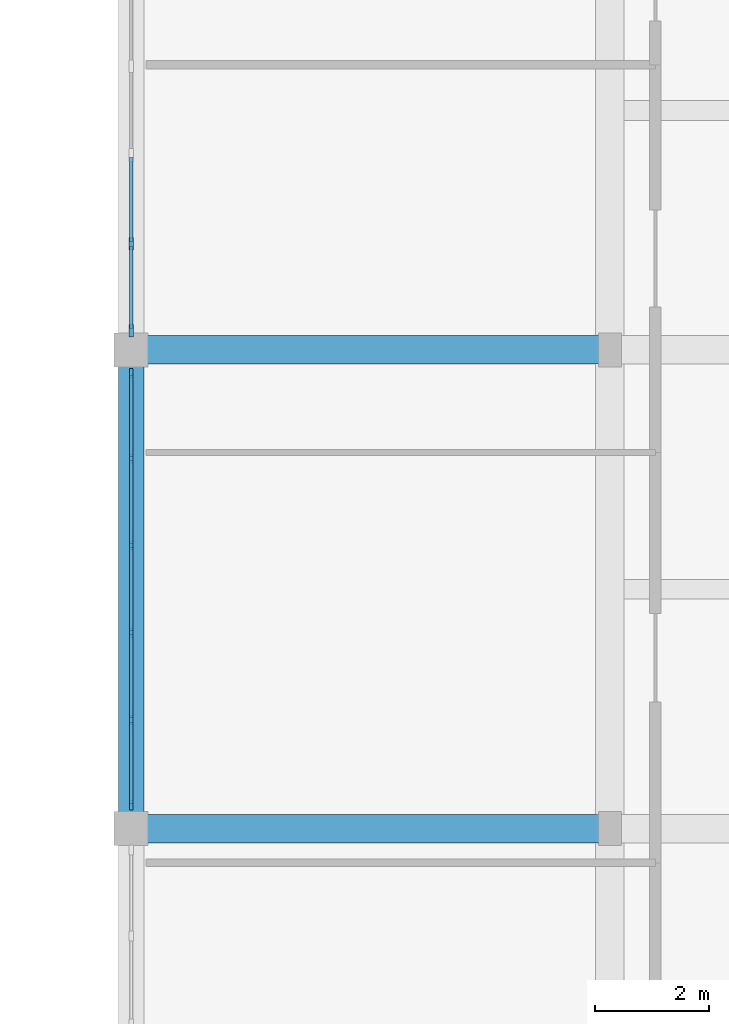
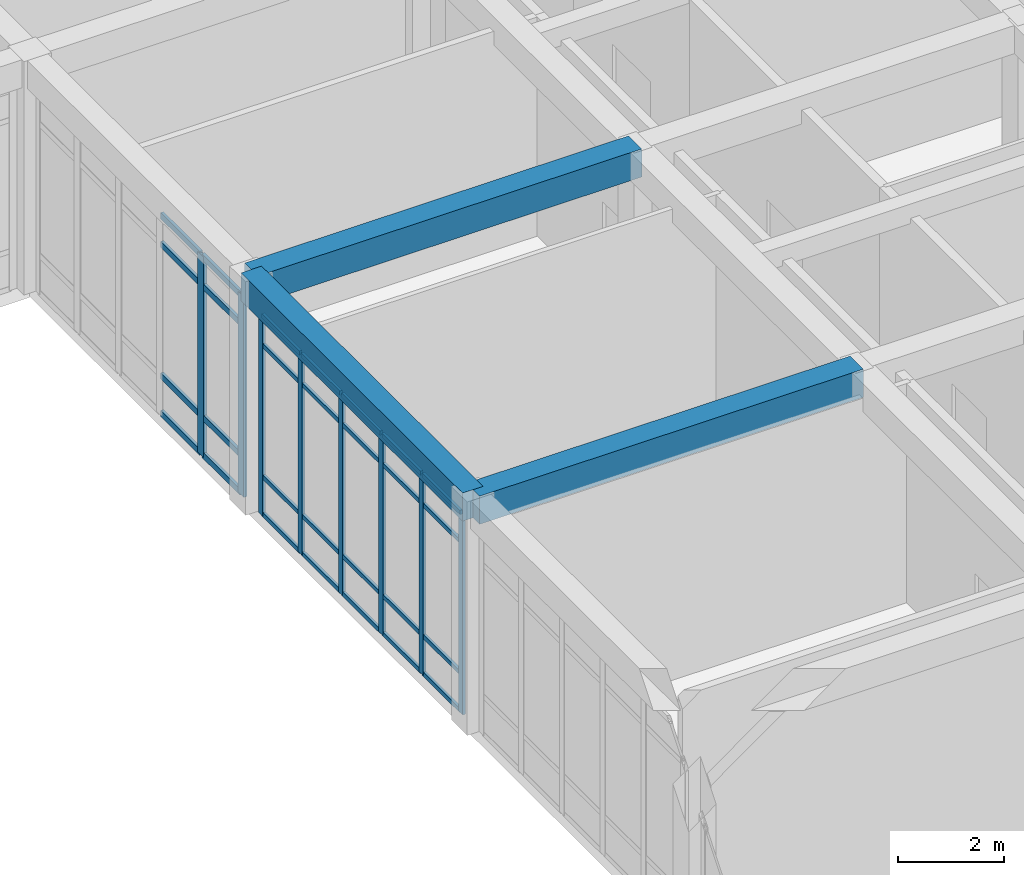
# One storey, part 35 of 89: 36 members, 3 beams, 2 elements without a shape of their own.
"""IFC4 building model written with IfcOpenShell, lengths in metres."""

from ifc_helpers import new_model, si_unit, direction, frame, origin, origin_2d, place, context, subcontext, project, spatial, rectangle, extrude, material, material_profile, profile_set, type_object, element, aggregate, save


model = new_model("IFC4")

# Units and contexts
model_context = context("Model", 3, precision=1e-05, world=origin(), true_north=direction((0.0, 1.0)))
body_context = subcontext(model_context, "Body", "Model", "MODEL_VIEW")
ifc_project = project(units=[si_unit("LENGTHUNIT", "METRE"), si_unit("AREAUNIT", "SQUARE_METRE"), si_unit("VOLUMEUNIT", "CUBIC_METRE"), si_unit("PLANEANGLEUNIT", "RADIAN"), si_unit("MASSUNIT", "GRAM", prefix="KILO")], contexts=[model_context])

# Site, building, storey
site_placement = place(None, origin())
site = spatial("IfcSite", under=ifc_project, at=site_placement, CompositionType="ELEMENT")
building_placement = place(site_placement, origin())
building = spatial("IfcBuilding", under=site, at=building_placement, Name="Varncliffe General Hospital", CompositionType="ELEMENT")
storey_placement = place(building_placement, frame((0.0, 0.0, 10.800048828125)))
storey = spatial("IfcBuildingStorey", under=building, at=storey_placement, Name="L02", CompositionType="ELEMENT", Elevation=10.800048828125)

# Beams
ifc_material_1 = material(Name="Concrete C35/45 (CSA A23.1 35 MPa)", Category="concrete")
ifc_material_profile_1 = material_profile(ifc_material_1, rectangle(XDim=0.5, YDim=0.64990234375, at=origin_2d()), Name="RC 500x650")
ifc_profile_set_1 = profile_set([ifc_material_profile_1], Name="Concrete C35/45 (CSA A23.1 35 MPa)")
beam_type_1 = type_object("IfcBeamType", Name="Beam B29 (Int RC 500x650)", PredefinedType="BEAM", material=ifc_profile_set_1)
for number, where, z_axis, x_axis, name in (
    (1, (151.199951171875, 66.0, 5.074951171875), (1.0, 0.0, 0.0), (0.0, 1.0, 0.0), "L02 Primary Beam B29-77"),
    (2, (151.199951171875, 74.39990234375, 5.074951171875), (1.0, 0.0, 0.0), (0.0, 1.0, 0.0), "L02 Primary Beam B29-90"),
):
    element("IfcBeam", number, at=place(storey_placement, frame(where, z_axis=z_axis, x_axis=x_axis)), inside=storey, type_object=beam_type_1, Name=name, PredefinedType="BEAM", context=body_context, shape_type="SweptSolid", body=[
        extrude(rectangle(XDim=0.5, YDim=0.64990234375, at=origin_2d()), origin(), (0.0, 0.0, 1.0), 8.400146484375),
    ])

# Curtain wall, members
ifc_material_2 = material(Name="Triple low-E argon insulated vision glazing", Category="glass")
curtain_wall_type_1 = type_object("IfcCurtainWallType", Name="Unitised Glazed Curtain Wall CW27 (7644x4640)", PredefinedType="USERDEFINED", material=ifc_material_2)
curtain_wall_1_placement = place(storey_placement, origin())
curtain_wall_1 = element("IfcCurtainWall", 3, at=curtain_wall_1_placement, inside=storey, type_object=curtain_wall_type_1, Name="L02 Glazed Curtain Wall CW27-125", ObjectType="GLAZED CURTAIN WALL", PredefinedType="USERDEFINED")
ifc_material_3 = material(Name="Dark bronze thermally broken aluminium framing", Category="aluminium")
ifc_material_profile_2 = material_profile(ifc_material_3, rectangle(XDim=0.06494140625, YDim=0.159912109375, at=origin_2d()), Name="ALU 65x160")
ifc_profile_set_2 = profile_set([ifc_material_profile_2], Name="Dark bronze thermally broken aluminium framing")
member_type_1 = type_object("IfcMemberType", Name="Curtain Wall Mullion CM65 (ALU 65x160)", PredefinedType="MULLION", material=ifc_profile_set_2)
member_1_placement = place(storey_placement, frame((151.199951171875, 66.410400390625, 0.0), z_axis=(0.0, 0.0, 1.0), x_axis=(-1.0, 0.0, 0.0)))
member_1 = element("IfcMember", 4, at=member_1_placement, type_object=member_type_1, Name="CW27 mullion 1", PredefinedType="MULLION", context=body_context, shape_type="SweptSolid", body=[
    extrude(rectangle(XDim=0.06494140625, YDim=0.159912109375, at=origin_2d()), origin(), (0.0, 0.0, 1.0), 4.639892578125),
])
member_2_placement = place(storey_placement, frame((151.199951171875, 67.90673828125, 0.0), z_axis=(0.0, 0.0, 1.0), x_axis=(-1.0, 0.0, 0.0)))
member_2 = element("IfcMember", 5, at=member_2_placement, type_object=member_type_1, Name="CW27 mullion 2", PredefinedType="MULLION", context=body_context, shape_type="SweptSolid", body=[
    extrude(rectangle(XDim=0.06494140625, YDim=0.159912109375, at=origin_2d()), origin(), (0.0, 0.0, 1.0), 4.639892578125),
])
member_3_placement = place(storey_placement, frame((151.199951171875, 69.435546875, 0.0), z_axis=(0.0, 0.0, 1.0), x_axis=(-1.0, 0.0, 0.0)))
member_3 = element("IfcMember", 6, at=member_3_placement, type_object=member_type_1, Name="CW27 mullion 3", PredefinedType="MULLION", context=body_context, shape_type="SweptSolid", body=[
    extrude(rectangle(XDim=0.06494140625, YDim=0.159912109375, at=origin_2d()), origin(), (0.0, 0.0, 1.0), 4.639892578125),
])
member_4_placement = place(storey_placement, frame((151.199951171875, 70.96435546875, 0.0), z_axis=(0.0, 0.0, 1.0), x_axis=(-1.0, 0.0, 0.0)))
member_4 = element("IfcMember", 7, at=member_4_placement, type_object=member_type_1, Name="CW27 mullion 4", PredefinedType="MULLION", context=body_context, shape_type="SweptSolid", body=[
    extrude(rectangle(XDim=0.06494140625, YDim=0.159912109375, at=origin_2d()), origin(), (0.0, 0.0, 1.0), 4.639892578125),
])
member_5_placement = place(storey_placement, frame((151.199951171875, 72.4931640625, 0.0), z_axis=(0.0, 0.0, 1.0), x_axis=(-1.0, 0.0, 0.0)))
member_5 = element("IfcMember", 8, at=member_5_placement, type_object=member_type_1, Name="CW27 mullion 5", PredefinedType="MULLION", context=body_context, shape_type="SweptSolid", body=[
    extrude(rectangle(XDim=0.06494140625, YDim=0.159912109375, at=origin_2d()), origin(), (0.0, 0.0, 1.0), 4.639892578125),
])
member_6_placement = place(storey_placement, frame((151.199951171875, 73.989501953125, 0.0), z_axis=(0.0, 0.0, 1.0), x_axis=(-1.0, 0.0, 0.0)))
member_6 = element("IfcMember", 9, at=member_6_placement, type_object=member_type_1, Name="CW27 mullion 6", PredefinedType="MULLION", context=body_context, shape_type="SweptSolid", body=[
    extrude(rectangle(XDim=0.06494140625, YDim=0.159912109375, at=origin_2d()), origin(), (0.0, 0.0, 1.0), 4.639892578125),
])

curtain_wall_type_2 = type_object("IfcCurtainWallType", Name="Unitised Glazed Curtain Wall CW85 (7804x4640)", PredefinedType="USERDEFINED", material=ifc_material_2)
curtain_wall_2_placement = place(storey_placement, origin())
curtain_wall_2 = element("IfcCurtainWall", 10, at=curtain_wall_2_placement, inside=storey, type_object=curtain_wall_type_2, Name="L02 Glazed Curtain Wall CW85-126", ObjectType="GLAZED CURTAIN WALL", PredefinedType="USERDEFINED")
ifc_material_profile_3 = material_profile(ifc_material_3, rectangle(XDim=0.074951171875, YDim=0.219970703125, at=origin_2d()), Name="ALU 75x220")
ifc_profile_set_3 = profile_set([ifc_material_profile_3], Name="Dark bronze thermally broken aluminium framing")
member_type_2 = type_object("IfcMemberType", Name="Curtain Wall Mullion CM74 (ALU 75x220)", PredefinedType="MULLION", material=ifc_profile_set_3)
member_7_placement = place(storey_placement, frame((151.199951171875, 74.735595703125, 0.0), z_axis=(0.0, 0.0, 1.0), x_axis=(-1.0, 0.0, 0.0)))
member_7 = element("IfcMember", 11, at=member_7_placement, type_object=member_type_2, Name="CW85 mullion 1", PredefinedType="MULLION", context=body_context, shape_type="SweptSolid", body=[
    extrude(rectangle(XDim=0.074951171875, YDim=0.219970703125, at=origin_2d()), origin(), (0.0, 0.0, 1.0), 4.639892578125),
])
member_8_placement = place(storey_placement, frame((151.199951171875, 76.2587890625, 0.0), z_axis=(0.0, 0.0, 1.0), x_axis=(-1.0, 0.0, 0.0)))
member_8 = element("IfcMember", 12, at=member_8_placement, type_object=member_type_2, Name="CW85 mullion 2", PredefinedType="MULLION", context=body_context, shape_type="SweptSolid", body=[
    extrude(rectangle(XDim=0.074951171875, YDim=0.219970703125, at=origin_2d()), origin(), (0.0, 0.0, 1.0), 4.639892578125),
])

# Member
ifc_material_profile_4 = material_profile(ifc_material_3, rectangle(XDim=0.06005859375, YDim=0.10009765625, at=origin_2d()), Name="ALU 60x100")
ifc_profile_set_4 = profile_set([ifc_material_profile_4], Name="Dark bronze thermally broken aluminium framing")
member_type_3 = type_object("IfcMemberType", Name="Curtain Wall Transom CT18 (ALU 60x100)", PredefinedType="USERDEFINED", material=ifc_profile_set_4)
member_9_placement = place(storey_placement, frame((151.199951171875, 66.443115234375, 0.030029296875), z_axis=(0.0, 1.0, 0.0), x_axis=(-1.0, 0.0, 0.0)))
member_9 = element("IfcMember", 13, at=member_9_placement, type_object=member_type_3, Name="CW27 transom 1.1", ObjectType="TRANSOM", PredefinedType="USERDEFINED", context=body_context, shape_type="SweptSolid", body=[
    extrude(rectangle(XDim=0.06005859375, YDim=0.10009765625, at=origin_2d()), origin(), (0.0, 0.0, 1.0), 1.43115234375),
])

member_10_placement = place(storey_placement, frame((151.199951171875, 66.443115234375, 0.89990234375), z_axis=(0.0, 1.0, 0.0), x_axis=(-1.0, 0.0, 0.0)))
member_10 = element("IfcMember", 14, at=member_10_placement, type_object=member_type_3, Name="CW27 transom 1.2", ObjectType="TRANSOM", PredefinedType="USERDEFINED", context=body_context, shape_type="SweptSolid", body=[
    extrude(rectangle(XDim=0.06005859375, YDim=0.10009765625, at=origin_2d()), origin(), (0.0, 0.0, 1.0), 1.43115234375),
])

member_11_placement = place(storey_placement, frame((151.199951171875, 66.443115234375, 3.93994140625), z_axis=(0.0, 1.0, 0.0), x_axis=(-1.0, 0.0, 0.0)))
member_11 = element("IfcMember", 15, at=member_11_placement, type_object=member_type_3, Name="CW27 transom 1.3", ObjectType="TRANSOM", PredefinedType="USERDEFINED", context=body_context, shape_type="SweptSolid", body=[
    extrude(rectangle(XDim=0.06005859375, YDim=0.10009765625, at=origin_2d()), origin(), (0.0, 0.0, 1.0), 1.43115234375),
])

member_12_placement = place(storey_placement, frame((151.199951171875, 66.443115234375, 4.60986328125), z_axis=(0.0, 1.0, 0.0), x_axis=(-1.0, 0.0, 0.0)))
member_12 = element("IfcMember", 16, at=member_12_placement, type_object=member_type_3, Name="CW27 transom 1.4", ObjectType="TRANSOM", PredefinedType="USERDEFINED", context=body_context, shape_type="SweptSolid", body=[
    extrude(rectangle(XDim=0.06005859375, YDim=0.10009765625, at=origin_2d()), origin(), (0.0, 0.0, 1.0), 1.43115234375),
])

member_13_placement = place(storey_placement, frame((151.199951171875, 67.939208984375, 0.030029296875), z_axis=(0.0, 1.0, 0.0), x_axis=(-1.0, 0.0, 0.0)))
member_13 = element("IfcMember", 17, at=member_13_placement, type_object=member_type_3, Name="CW27 transom 2.1", ObjectType="TRANSOM", PredefinedType="USERDEFINED", context=body_context, shape_type="SweptSolid", body=[
    extrude(rectangle(XDim=0.06005859375, YDim=0.10009765625, at=origin_2d()), origin(), (0.0, 0.0, 1.0), 1.4638671875),
])

member_14_placement = place(storey_placement, frame((151.199951171875, 67.939208984375, 0.89990234375), z_axis=(0.0, 1.0, 0.0), x_axis=(-1.0, 0.0, 0.0)))
member_14 = element("IfcMember", 18, at=member_14_placement, type_object=member_type_3, Name="CW27 transom 2.2", ObjectType="TRANSOM", PredefinedType="USERDEFINED", context=body_context, shape_type="SweptSolid", body=[
    extrude(rectangle(XDim=0.06005859375, YDim=0.10009765625, at=origin_2d()), origin(), (0.0, 0.0, 1.0), 1.4638671875),
])

member_15_placement = place(storey_placement, frame((151.199951171875, 67.939208984375, 3.93994140625), z_axis=(0.0, 1.0, 0.0), x_axis=(-1.0, 0.0, 0.0)))
member_15 = element("IfcMember", 19, at=member_15_placement, type_object=member_type_3, Name="CW27 transom 2.3", ObjectType="TRANSOM", PredefinedType="USERDEFINED", context=body_context, shape_type="SweptSolid", body=[
    extrude(rectangle(XDim=0.06005859375, YDim=0.10009765625, at=origin_2d()), origin(), (0.0, 0.0, 1.0), 1.4638671875),
])

member_16_placement = place(storey_placement, frame((151.199951171875, 67.939208984375, 4.60986328125), z_axis=(0.0, 1.0, 0.0), x_axis=(-1.0, 0.0, 0.0)))
member_16 = element("IfcMember", 20, at=member_16_placement, type_object=member_type_3, Name="CW27 transom 2.4", ObjectType="TRANSOM", PredefinedType="USERDEFINED", context=body_context, shape_type="SweptSolid", body=[
    extrude(rectangle(XDim=0.06005859375, YDim=0.10009765625, at=origin_2d()), origin(), (0.0, 0.0, 1.0), 1.4638671875),
])

member_17_placement = place(storey_placement, frame((151.199951171875, 69.468017578125, 0.030029296875), z_axis=(0.0, 1.0, 0.0), x_axis=(-1.0, 0.0, 0.0)))
member_17 = element("IfcMember", 21, at=member_17_placement, type_object=member_type_3, Name="CW27 transom 3.1", ObjectType="TRANSOM", PredefinedType="USERDEFINED", context=body_context, shape_type="SweptSolid", body=[
    extrude(rectangle(XDim=0.06005859375, YDim=0.10009765625, at=origin_2d()), origin(), (0.0, 0.0, 1.0), 1.4638671875),
])

member_18_placement = place(storey_placement, frame((151.199951171875, 69.468017578125, 0.89990234375), z_axis=(0.0, 1.0, 0.0), x_axis=(-1.0, 0.0, 0.0)))
member_18 = element("IfcMember", 22, at=member_18_placement, type_object=member_type_3, Name="CW27 transom 3.2", ObjectType="TRANSOM", PredefinedType="USERDEFINED", context=body_context, shape_type="SweptSolid", body=[
    extrude(rectangle(XDim=0.06005859375, YDim=0.10009765625, at=origin_2d()), origin(), (0.0, 0.0, 1.0), 1.4638671875),
])

member_19_placement = place(storey_placement, frame((151.199951171875, 69.468017578125, 3.93994140625), z_axis=(0.0, 1.0, 0.0), x_axis=(-1.0, 0.0, 0.0)))
member_19 = element("IfcMember", 23, at=member_19_placement, type_object=member_type_3, Name="CW27 transom 3.3", ObjectType="TRANSOM", PredefinedType="USERDEFINED", context=body_context, shape_type="SweptSolid", body=[
    extrude(rectangle(XDim=0.06005859375, YDim=0.10009765625, at=origin_2d()), origin(), (0.0, 0.0, 1.0), 1.4638671875),
])

member_20_placement = place(storey_placement, frame((151.199951171875, 69.468017578125, 4.60986328125), z_axis=(0.0, 1.0, 0.0), x_axis=(-1.0, 0.0, 0.0)))
member_20 = element("IfcMember", 24, at=member_20_placement, type_object=member_type_3, Name="CW27 transom 3.4", ObjectType="TRANSOM", PredefinedType="USERDEFINED", context=body_context, shape_type="SweptSolid", body=[
    extrude(rectangle(XDim=0.06005859375, YDim=0.10009765625, at=origin_2d()), origin(), (0.0, 0.0, 1.0), 1.4638671875),
])

member_21_placement = place(storey_placement, frame((151.199951171875, 70.996826171875, 0.030029296875), z_axis=(0.0, 1.0, 0.0), x_axis=(-1.0, 0.0, 0.0)))
member_21 = element("IfcMember", 25, at=member_21_placement, type_object=member_type_3, Name="CW27 transom 4.1", ObjectType="TRANSOM", PredefinedType="USERDEFINED", context=body_context, shape_type="SweptSolid", body=[
    extrude(rectangle(XDim=0.06005859375, YDim=0.10009765625, at=origin_2d()), origin(), (0.0, 0.0, 1.0), 1.4638671875),
])

member_22_placement = place(storey_placement, frame((151.199951171875, 70.996826171875, 0.89990234375), z_axis=(0.0, 1.0, 0.0), x_axis=(-1.0, 0.0, 0.0)))
member_22 = element("IfcMember", 26, at=member_22_placement, type_object=member_type_3, Name="CW27 transom 4.2", ObjectType="TRANSOM", PredefinedType="USERDEFINED", context=body_context, shape_type="SweptSolid", body=[
    extrude(rectangle(XDim=0.06005859375, YDim=0.10009765625, at=origin_2d()), origin(), (0.0, 0.0, 1.0), 1.4638671875),
])

member_23_placement = place(storey_placement, frame((151.199951171875, 70.996826171875, 3.93994140625), z_axis=(0.0, 1.0, 0.0), x_axis=(-1.0, 0.0, 0.0)))
member_23 = element("IfcMember", 27, at=member_23_placement, type_object=member_type_3, Name="CW27 transom 4.3", ObjectType="TRANSOM", PredefinedType="USERDEFINED", context=body_context, shape_type="SweptSolid", body=[
    extrude(rectangle(XDim=0.06005859375, YDim=0.10009765625, at=origin_2d()), origin(), (0.0, 0.0, 1.0), 1.4638671875),
])

member_24_placement = place(storey_placement, frame((151.199951171875, 70.996826171875, 4.60986328125), z_axis=(0.0, 1.0, 0.0), x_axis=(-1.0, 0.0, 0.0)))
member_24 = element("IfcMember", 28, at=member_24_placement, type_object=member_type_3, Name="CW27 transom 4.4", ObjectType="TRANSOM", PredefinedType="USERDEFINED", context=body_context, shape_type="SweptSolid", body=[
    extrude(rectangle(XDim=0.06005859375, YDim=0.10009765625, at=origin_2d()), origin(), (0.0, 0.0, 1.0), 1.4638671875),
])

member_25_placement = place(storey_placement, frame((151.199951171875, 72.525634765625, 0.030029296875), z_axis=(0.0, 1.0, 0.0), x_axis=(-1.0, 0.0, 0.0)))
member_25 = element("IfcMember", 29, at=member_25_placement, type_object=member_type_3, Name="CW27 transom 5.1", ObjectType="TRANSOM", PredefinedType="USERDEFINED", context=body_context, shape_type="SweptSolid", body=[
    extrude(rectangle(XDim=0.06005859375, YDim=0.10009765625, at=origin_2d()), origin(), (0.0, 0.0, 1.0), 1.431396484375),
])

member_26_placement = place(storey_placement, frame((151.199951171875, 72.525634765625, 0.89990234375), z_axis=(0.0, 1.0, 0.0), x_axis=(-1.0, 0.0, 0.0)))
member_26 = element("IfcMember", 30, at=member_26_placement, type_object=member_type_3, Name="CW27 transom 5.2", ObjectType="TRANSOM", PredefinedType="USERDEFINED", context=body_context, shape_type="SweptSolid", body=[
    extrude(rectangle(XDim=0.06005859375, YDim=0.10009765625, at=origin_2d()), origin(), (0.0, 0.0, 1.0), 1.431396484375),
])

member_27_placement = place(storey_placement, frame((151.199951171875, 72.525634765625, 3.93994140625), z_axis=(0.0, 1.0, 0.0), x_axis=(-1.0, 0.0, 0.0)))
member_27 = element("IfcMember", 31, at=member_27_placement, type_object=member_type_3, Name="CW27 transom 5.3", ObjectType="TRANSOM", PredefinedType="USERDEFINED", context=body_context, shape_type="SweptSolid", body=[
    extrude(rectangle(XDim=0.06005859375, YDim=0.10009765625, at=origin_2d()), origin(), (0.0, 0.0, 1.0), 1.431396484375),
])

member_28_placement = place(storey_placement, frame((151.199951171875, 72.525634765625, 4.60986328125), z_axis=(0.0, 1.0, 0.0), x_axis=(-1.0, 0.0, 0.0)))
member_28 = element("IfcMember", 32, at=member_28_placement, type_object=member_type_3, Name="CW27 transom 5.4", ObjectType="TRANSOM", PredefinedType="USERDEFINED", context=body_context, shape_type="SweptSolid", body=[
    extrude(rectangle(XDim=0.06005859375, YDim=0.10009765625, at=origin_2d()), origin(), (0.0, 0.0, 1.0), 1.431396484375),
])

aggregate(curtain_wall_1, [member_1, member_2, member_3, member_4, member_5, member_6, member_9, member_10, member_11, member_12, member_13, member_14, member_15, member_16, member_17, member_18, member_19, member_20, member_21, member_22, member_23, member_24, member_25, member_26, member_27, member_28])

ifc_material_profile_5 = material_profile(ifc_material_3, rectangle(XDim=0.06494140625, YDim=0.139892578125, at=origin_2d()), Name="ALU 65x140")
ifc_profile_set_5 = profile_set([ifc_material_profile_5], Name="Dark bronze thermally broken aluminium framing")
member_type_4 = type_object("IfcMemberType", Name="Curtain Wall Transom CT69 (ALU 65x140)", PredefinedType="USERDEFINED", material=ifc_profile_set_5)
member_29_placement = place(storey_placement, frame((151.199951171875, 74.77294921875, 0.032470703125), z_axis=(0.0, 1.0, 0.0), x_axis=(-1.0, 0.0, 0.0)))
member_29 = element("IfcMember", 33, at=member_29_placement, type_object=member_type_4, Name="CW85 transom 1.1", ObjectType="TRANSOM", PredefinedType="USERDEFINED", context=body_context, shape_type="SweptSolid", body=[
    extrude(rectangle(XDim=0.06494140625, YDim=0.139892578125, at=origin_2d()), origin(), (0.0, 0.0, 1.0), 1.4482421875),
])

member_30_placement = place(storey_placement, frame((151.199951171875, 74.77294921875, 0.89990234375), z_axis=(0.0, 1.0, 0.0), x_axis=(-1.0, 0.0, 0.0)))
member_30 = element("IfcMember", 34, at=member_30_placement, type_object=member_type_4, Name="CW85 transom 1.2", ObjectType="TRANSOM", PredefinedType="USERDEFINED", context=body_context, shape_type="SweptSolid", body=[
    extrude(rectangle(XDim=0.06494140625, YDim=0.139892578125, at=origin_2d()), origin(), (0.0, 0.0, 1.0), 1.4482421875),
])

member_31_placement = place(storey_placement, frame((151.199951171875, 74.77294921875, 3.93994140625), z_axis=(0.0, 1.0, 0.0), x_axis=(-1.0, 0.0, 0.0)))
member_31 = element("IfcMember", 35, at=member_31_placement, type_object=member_type_4, Name="CW85 transom 1.3", ObjectType="TRANSOM", PredefinedType="USERDEFINED", context=body_context, shape_type="SweptSolid", body=[
    extrude(rectangle(XDim=0.06494140625, YDim=0.139892578125, at=origin_2d()), origin(), (0.0, 0.0, 1.0), 1.4482421875),
])

member_32_placement = place(storey_placement, frame((151.199951171875, 74.77294921875, 4.607421875), z_axis=(0.0, 1.0, 0.0), x_axis=(-1.0, 0.0, 0.0)))
member_32 = element("IfcMember", 36, at=member_32_placement, type_object=member_type_4, Name="CW85 transom 1.4", ObjectType="TRANSOM", PredefinedType="USERDEFINED", context=body_context, shape_type="SweptSolid", body=[
    extrude(rectangle(XDim=0.06494140625, YDim=0.139892578125, at=origin_2d()), origin(), (0.0, 0.0, 1.0), 1.4482421875),
])

member_33_placement = place(storey_placement, frame((151.199951171875, 76.29638671875, 0.032470703125), z_axis=(0.0, 1.0, 0.0), x_axis=(-1.0, 0.0, 0.0)))
member_33 = element("IfcMember", 37, at=member_33_placement, type_object=member_type_4, Name="CW85 transom 2.1", ObjectType="TRANSOM", PredefinedType="USERDEFINED", context=body_context, shape_type="SweptSolid", body=[
    extrude(rectangle(XDim=0.06494140625, YDim=0.139892578125, at=origin_2d()), origin(), (0.0, 0.0, 1.0), 1.485595703125),
])

member_34_placement = place(storey_placement, frame((151.199951171875, 76.29638671875, 0.89990234375), z_axis=(0.0, 1.0, 0.0), x_axis=(-1.0, 0.0, 0.0)))
member_34 = element("IfcMember", 38, at=member_34_placement, type_object=member_type_4, Name="CW85 transom 2.2", ObjectType="TRANSOM", PredefinedType="USERDEFINED", context=body_context, shape_type="SweptSolid", body=[
    extrude(rectangle(XDim=0.06494140625, YDim=0.139892578125, at=origin_2d()), origin(), (0.0, 0.0, 1.0), 1.485595703125),
])

member_35_placement = place(storey_placement, frame((151.199951171875, 76.29638671875, 3.93994140625), z_axis=(0.0, 1.0, 0.0), x_axis=(-1.0, 0.0, 0.0)))
member_35 = element("IfcMember", 39, at=member_35_placement, type_object=member_type_4, Name="CW85 transom 2.3", ObjectType="TRANSOM", PredefinedType="USERDEFINED", context=body_context, shape_type="SweptSolid", body=[
    extrude(rectangle(XDim=0.06494140625, YDim=0.139892578125, at=origin_2d()), origin(), (0.0, 0.0, 1.0), 1.485595703125),
])

member_36_placement = place(storey_placement, frame((151.199951171875, 76.29638671875, 4.607421875), z_axis=(0.0, 1.0, 0.0), x_axis=(-1.0, 0.0, 0.0)))
member_36 = element("IfcMember", 40, at=member_36_placement, type_object=member_type_4, Name="CW85 transom 2.4", ObjectType="TRANSOM", PredefinedType="USERDEFINED", context=body_context, shape_type="SweptSolid", body=[
    extrude(rectangle(XDim=0.06494140625, YDim=0.139892578125, at=origin_2d()), origin(), (0.0, 0.0, 1.0), 1.485595703125),
])

aggregate(curtain_wall_2, [member_7, member_8, member_29, member_30, member_31, member_32, member_33, member_34, member_35, member_36])

# Beam
ifc_material_profile_6 = material_profile(ifc_material_1, rectangle(XDim=0.449951171875, YDim=0.64990234375, at=origin_2d()), Name="RC 450x650")
ifc_profile_set_6 = profile_set([ifc_material_profile_6], Name="Concrete C35/45 (CSA A23.1 35 MPa)")
beam_type_2 = type_object("IfcBeamType", Name="Spandrel SP38 (Ext RC 450x650B)", PredefinedType="SPANDREL", material=ifc_profile_set_6)
beam_placement = place(storey_placement, frame((151.199951171875, 66.0, 5.074951171875), z_axis=(0.0, 1.0, 0.0), x_axis=(-1.0, 0.0, 0.0)))
element("IfcBeam", 41, at=beam_placement, inside=storey, type_object=beam_type_2, Name="L02 Spandrel Beam SP38-437", PredefinedType="SPANDREL", context=body_context, shape_type="SweptSolid", body=[
    extrude(rectangle(XDim=0.449951171875, YDim=0.64990234375, at=origin_2d()), origin(), (0.0, 0.0, 1.0), 8.39990234375),
])

save(model, "model.ifc")
